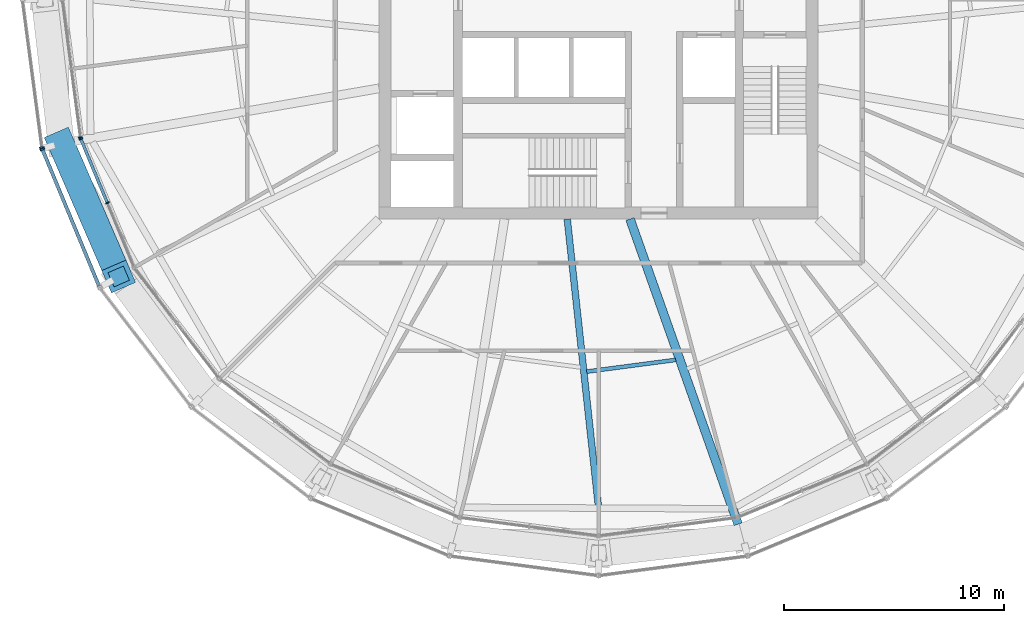
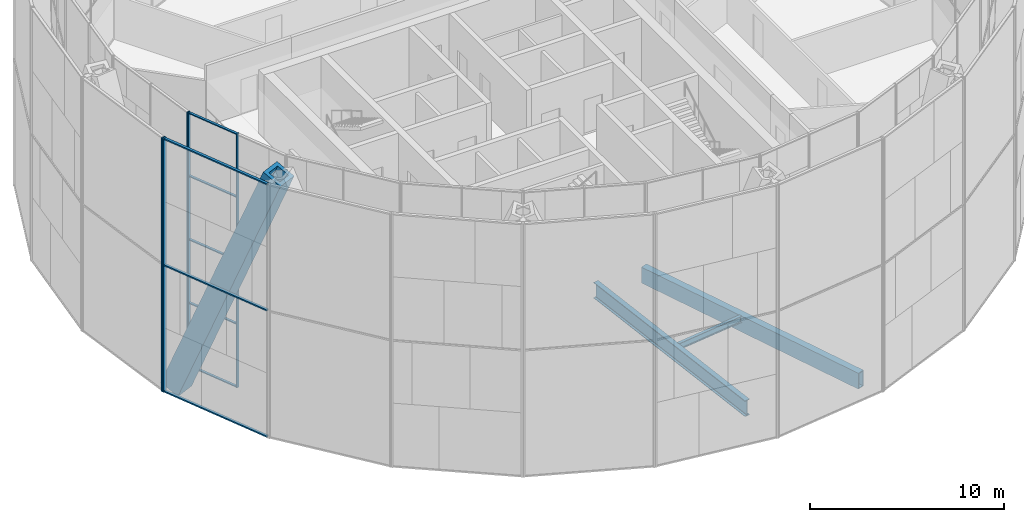
# One storey, part 3 of 28: 14 members, 3 beams, 4 elements without a shape of their own.
"""IFC4 building model written with IfcOpenShell, lengths in metres."""

from ifc_helpers import new_model, si_unit, direction, frame, origin, origin_2d, place, context, subcontext, project, spatial, rectangle, hollow_rectangle, i_section, extrude, material, material_profile, profile_set, type_object, element, aggregate, save


model = new_model("IFC4")

# Units and contexts
model_context = context("Model", 3, precision=1e-05, world=origin(), true_north=direction((0.0, 1.0)))
body_context = subcontext(model_context, "Body", "Model", "MODEL_VIEW")
ifc_project = project(units=[si_unit("LENGTHUNIT", "METRE"), si_unit("AREAUNIT", "SQUARE_METRE"), si_unit("VOLUMEUNIT", "CUBIC_METRE"), si_unit("PLANEANGLEUNIT", "RADIAN"), si_unit("MASSUNIT", "GRAM", prefix="KILO")], contexts=[model_context])

# Site, building, storey
site_placement = place(None, origin())
site = spatial("IfcSite", under=ifc_project, at=site_placement, CompositionType="ELEMENT")
building_placement = place(site_placement, origin())
building = spatial("IfcBuilding", under=site, at=building_placement, Name="Golbaran Civic Tower", CompositionType="ELEMENT")
storey_placement = place(building_placement, frame((0.0, 0.0, 134.0)))
storey = spatial("IfcBuildingStorey", under=building, at=storey_placement, Name="L32", CompositionType="ELEMENT", Elevation=134.0)

# Member
ifc_material_1 = material(Name="Steel S355", Category="steel")
ifc_material_profile_1 = material_profile(ifc_material_1, hollow_rectangle(XDim=1.199951171875, YDim=1.199951171875, WallThickness=0.219970703125, at=origin_2d()), Name="BOX 1200x1200x220")
ifc_profile_set_1 = profile_set([ifc_material_profile_1], Name="Steel S355")
member_type_1 = type_object("IfcMemberType", Name="DIAGRID DIAGONAL BOX 1200x1200x220", PredefinedType="BRACE", material=ifc_profile_set_1)
member_1_placement = place(storey_placement, frame((-24.4765625, -6.55859375, -0.7099609375), z_axis=(0.151560578437, -0.350021010135, 0.924399634102), x_axis=(0.917665769882, 0.397353161289, 0.0)))
element("IfcMember", 1, at=member_1_placement, inside=storey, type_object=member_type_1, Name="Diagonal D07-06R L32-L36", PredefinedType="BRACE", context=body_context, shape_type="SweptSolid", body=[
    extrude(hollow_rectangle(XDim=1.199951171875, YDim=1.199951171875, WallThickness=0.219970703125, at=origin_2d()), origin(), (0.0, 0.0, 1.0), 17.30859375),
])

# Beam
ifc_material_profile_2 = material_profile(ifc_material_1, i_section(OverallWidth=0.179931640625, OverallDepth=0.39990234375, WebThickness=0.008544921875, FlangeThickness=0.013427734375, FilletRadius=0.02099609375, at=origin_2d()), Name="IPE 400")
ifc_profile_set_2 = profile_set([ifc_material_profile_2], Name="Steel S355")
beam_type_1 = type_object("IfcBeamType", Name="FLOOR INFILL BEAM IPE 400", PredefinedType="BEAM", material=ifc_profile_set_2)
beam_1_placement = place(storey_placement, frame((-0.543701171875, -16.94921875, -0.39990234375), z_axis=(0.991448605296, 0.130497751155, 0.0), x_axis=(-0.130497751155, 0.991448605296, 0.0)))
element("IfcBeam", 2, at=beam_1_placement, inside=storey, type_object=beam_type_1, Name="Infill beam 277.50 L32", PredefinedType="BEAM", context=body_context, shape_type="SweptSolid", body=[
    extrude(i_section(OverallWidth=0.179931640625, OverallDepth=0.39990234375, WebThickness=0.008544921875, FlangeThickness=0.013427734375, FilletRadius=0.02099609375, at=origin_2d()), origin(), (0.0, 0.0, 1.0), 4.089599609375),
])

# Curtain wall, member
ifc_material_2 = material(Name="Aluminium and glass", Category="aluminium")
curtain_wall_type_1 = type_object("IfcCurtainWallType", Name="INNER SKIN CURTAIN WALL", PredefinedType="NOTDEFINED", material=ifc_material_2)
curtain_wall_1_placement = place(storey_placement, origin())
curtain_wall_1 = element("IfcCurtainWall", 3, at=curtain_wall_1_placement, inside=storey, type_object=curtain_wall_type_1, Name="Inner skin L32 facet 13 CW1", ObjectType="INNER SKIN", PredefinedType="USERDEFINED")
ifc_material_3 = material(Name="Aluminium", Category="aluminium")
ifc_material_profile_3 = material_profile(ifc_material_3, rectangle(XDim=0.179931640625, YDim=0.06494140625, at=origin_2d()), Name="INNER SKIN CURTAIN WALL MULLION")
ifc_profile_set_3 = profile_set([ifc_material_profile_3], Name="Aluminium")
member_type_2 = type_object("IfcMemberType", Name="INNER SKIN CURTAIN WALL MULLION", PredefinedType="MULLION", material=ifc_profile_set_3)
member_2_placement = place(storey_placement, frame((-23.596923828125, -6.28955078125, 0.0), z_axis=(0.0, 0.0, 1.0), x_axis=(0.991444861372, 0.130526192237, 0.0)))
member_2 = element("IfcMember", 4, at=member_2_placement, type_object=member_type_2, Name="CW1 mullion 3", PredefinedType="MULLION", context=body_context, shape_type="SweptSolid", body=[
    extrude(rectangle(XDim=0.179931640625, YDim=0.06494140625, at=origin_2d()), origin(), (0.0, 0.0, 1.0), 16.0),
])
aggregate(curtain_wall_1, [member_2])

# Curtain wall, members
curtain_wall_2_placement = place(storey_placement, origin())
curtain_wall_2 = element("IfcCurtainWall", 5, at=curtain_wall_2_placement, inside=storey, type_object=curtain_wall_type_1, Name="Inner skin L32 facet 14 CW1", ObjectType="INNER SKIN", PredefinedType="USERDEFINED")
member_3_placement = place(storey_placement, frame((-23.580322265625, -6.3515625, 0.0), z_axis=(0.0, 0.0, 1.0), x_axis=(0.923879532485, 0.38268343243, 0.0)))
member_3 = element("IfcMember", 6, at=member_3_placement, type_object=member_type_2, Name="CW1 mullion 1", PredefinedType="MULLION", context=body_context, shape_type="SweptSolid", body=[
    extrude(rectangle(XDim=0.179931640625, YDim=0.06494140625, at=origin_2d()), origin(), (0.0, 0.0, 1.0), 16.0),
])
member_4_placement = place(storey_placement, frame((-22.372802734375, -9.26708984375, 0.0), z_axis=(0.0, 0.0, 1.0), x_axis=(0.923879532485, 0.38268343243, 0.0)))
member_4 = element("IfcMember", 7, at=member_4_placement, type_object=member_type_2, Name="CW1 mullion 2", PredefinedType="MULLION", context=body_context, shape_type="SweptSolid", body=[
    extrude(rectangle(XDim=0.179931640625, YDim=0.06494140625, at=origin_2d()), origin(), (0.0, 0.0, 1.0), 16.0),
])
ifc_material_profile_4 = material_profile(ifc_material_3, rectangle(XDim=0.139892578125, YDim=0.06494140625, at=origin_2d()), Name="INNER SKIN CURTAIN WALL TRANSOM")
ifc_profile_set_4 = profile_set([ifc_material_profile_4], Name="Aluminium")
member_type_3 = type_object("IfcMemberType", Name="INNER SKIN CURTAIN WALL TRANSOM", PredefinedType="USERDEFINED", material=ifc_profile_set_4)
member_5_placement = place(storey_placement, frame((-23.56787109375, -6.381591796875, 0.032470703125), z_axis=(0.382640157244, -0.923897456466, 0.0), x_axis=(0.923897456466, 0.382640157244, 0.0)))
member_5 = element("IfcMember", 8, at=member_5_placement, type_object=member_type_3, Name="CW1 transom 1.1", ObjectType="TRANSOM", PredefinedType="USERDEFINED", context=body_context, shape_type="SweptSolid", body=[
    extrude(rectangle(XDim=0.139892578125, YDim=0.06494140625, at=origin_2d()), origin(), (0.0, 0.0, 1.0), 3.090576171875),
])
member_6_placement = place(storey_placement, frame((-23.56787109375, -6.381591796875, 4.0), z_axis=(0.382640157244, -0.923897456466, 0.0), x_axis=(0.923897456466, 0.382640157244, 0.0)))
member_6 = element("IfcMember", 9, at=member_6_placement, type_object=member_type_3, Name="CW1 transom 1.2", ObjectType="TRANSOM", PredefinedType="USERDEFINED", context=body_context, shape_type="SweptSolid", body=[
    extrude(rectangle(XDim=0.139892578125, YDim=0.06494140625, at=origin_2d()), origin(), (0.0, 0.0, 1.0), 3.090576171875),
])
member_7_placement = place(storey_placement, frame((-23.56787109375, -6.381591796875, 8.0), z_axis=(0.382640157244, -0.923897456466, 0.0), x_axis=(0.923897456466, 0.382640157244, 0.0)))
member_7 = element("IfcMember", 10, at=member_7_placement, type_object=member_type_3, Name="CW1 transom 1.3", ObjectType="TRANSOM", PredefinedType="USERDEFINED", context=body_context, shape_type="SweptSolid", body=[
    extrude(rectangle(XDim=0.139892578125, YDim=0.06494140625, at=origin_2d()), origin(), (0.0, 0.0, 1.0), 3.090576171875),
])
member_8_placement = place(storey_placement, frame((-23.56787109375, -6.381591796875, 12.0), z_axis=(0.382640157244, -0.923897456466, 0.0), x_axis=(0.923897456466, 0.382640157244, 0.0)))
member_8 = element("IfcMember", 11, at=member_8_placement, type_object=member_type_3, Name="CW1 transom 1.4", ObjectType="TRANSOM", PredefinedType="USERDEFINED", context=body_context, shape_type="SweptSolid", body=[
    extrude(rectangle(XDim=0.139892578125, YDim=0.06494140625, at=origin_2d()), origin(), (0.0, 0.0, 1.0), 3.090576171875),
])
member_9_placement = place(storey_placement, frame((-23.56787109375, -6.381591796875, 15.967529296875), z_axis=(0.382640157244, -0.923897456466, 0.0), x_axis=(0.923897456466, 0.382640157244, 0.0)))
member_9 = element("IfcMember", 12, at=member_9_placement, type_object=member_type_3, Name="CW1 transom 1.5", ObjectType="TRANSOM", PredefinedType="USERDEFINED", context=body_context, shape_type="SweptSolid", body=[
    extrude(rectangle(XDim=0.139892578125, YDim=0.06494140625, at=origin_2d()), origin(), (0.0, 0.0, 1.0), 3.090576171875),
])
aggregate(curtain_wall_2, [member_3, member_4, member_5, member_6, member_7, member_8, member_9])

# Curtain wall, member
curtain_wall_type_2 = type_object("IfcCurtainWallType", Name="OUTER SKIN TERRACOTTA SCREEN", PredefinedType="NOTDEFINED", material=ifc_material_2)
curtain_wall_3_placement = place(storey_placement, origin())
curtain_wall_3 = element("IfcCurtainWall", 13, at=curtain_wall_3_placement, inside=storey, type_object=curtain_wall_type_2, Name="Outer skin L32 facet 13 CW3", ObjectType="OUTER SKIN", PredefinedType="USERDEFINED")
ifc_material_profile_5 = material_profile(ifc_material_3, rectangle(XDim=0.219970703125, YDim=0.080078125, at=origin_2d()), Name="OUTER SKIN TERRACOTTA SCREEN MULLION")
ifc_profile_set_5 = profile_set([ifc_material_profile_5], Name="Aluminium")
member_type_4 = type_object("IfcMemberType", Name="OUTER SKIN TERRACOTTA SCREEN MULLION", PredefinedType="MULLION", material=ifc_profile_set_5)
member_10_placement = place(storey_placement, frame((-25.35107421875, -6.751708984375, -0.7099609375), z_axis=(0.0, 0.0, 1.0), x_axis=(0.991444861376, 0.130526192203, 0.0)))
member_10 = element("IfcMember", 14, at=member_10_placement, type_object=member_type_4, Name="CW3 mullion 2", PredefinedType="MULLION", context=body_context, shape_type="SweptSolid", body=[
    extrude(rectangle(XDim=0.219970703125, YDim=0.080078125, at=origin_2d()), origin(), (0.0, 0.0, 1.0), 16.0),
])
aggregate(curtain_wall_3, [member_10])

# Curtain wall, members
curtain_wall_4_placement = place(storey_placement, origin())
curtain_wall_4 = element("IfcCurtainWall", 15, at=curtain_wall_4_placement, inside=storey, type_object=curtain_wall_type_2, Name="Outer skin L32 facet 14 CW3", ObjectType="OUTER SKIN", PredefinedType="USERDEFINED")
member_11_placement = place(storey_placement, frame((-25.33056640625, -6.828369140625, -0.7099609375), z_axis=(0.0, 0.0, 1.0), x_axis=(0.923879532498, 0.382683432397, 0.0)))
member_11 = element("IfcMember", 16, at=member_11_placement, type_object=member_type_4, Name="CW3 mullion 1", PredefinedType="MULLION", context=body_context, shape_type="SweptSolid", body=[
    extrude(rectangle(XDim=0.219970703125, YDim=0.080078125, at=origin_2d()), origin(), (0.0, 0.0, 1.0), 16.0),
])
ifc_material_profile_6 = material_profile(ifc_material_3, rectangle(XDim=0.159912109375, YDim=0.080078125, at=origin_2d()), Name="OUTER SKIN TERRACOTTA SCREEN TRANSOM")
ifc_profile_set_6 = profile_set([ifc_material_profile_6], Name="Aluminium")
member_type_5 = type_object("IfcMemberType", Name="OUTER SKIN TERRACOTTA SCREEN TRANSOM", PredefinedType="USERDEFINED", material=ifc_profile_set_6)
member_12_placement = place(storey_placement, frame((-25.315185546875, -6.865234375, -0.669921875), z_axis=(0.382663348985, -0.923887851064, 0.0), x_axis=(0.923887851064, 0.382663348985, 0.0)))
member_12 = element("IfcMember", 17, at=member_12_placement, type_object=member_type_5, Name="CW3 transom 1.1", ObjectType="TRANSOM", PredefinedType="USERDEFINED", context=body_context, shape_type="SweptSolid", body=[
    extrude(rectangle(XDim=0.159912109375, YDim=0.080078125, at=origin_2d()), origin(), (0.0, 0.0, 1.0), 6.690185546875),
])
member_13_placement = place(storey_placement, frame((-25.315185546875, -6.865234375, 7.2900390625), z_axis=(0.382663348985, -0.923887851064, 0.0), x_axis=(0.923887851064, 0.382663348985, 0.0)))
member_13 = element("IfcMember", 18, at=member_13_placement, type_object=member_type_5, Name="CW3 transom 1.2", ObjectType="TRANSOM", PredefinedType="USERDEFINED", context=body_context, shape_type="SweptSolid", body=[
    extrude(rectangle(XDim=0.159912109375, YDim=0.080078125, at=origin_2d()), origin(), (0.0, 0.0, 1.0), 6.690185546875),
])
member_14_placement = place(storey_placement, frame((-25.315185546875, -6.865234375, 15.25), z_axis=(0.382663348985, -0.923887851064, 0.0), x_axis=(0.923887851064, 0.382663348985, 0.0)))
member_14 = element("IfcMember", 19, at=member_14_placement, type_object=member_type_5, Name="CW3 transom 1.3", ObjectType="TRANSOM", PredefinedType="USERDEFINED", context=body_context, shape_type="SweptSolid", body=[
    extrude(rectangle(XDim=0.159912109375, YDim=0.080078125, at=origin_2d()), origin(), (0.0, 0.0, 1.0), 6.690185546875),
])
aggregate(curtain_wall_4, [member_11, member_12, member_13, member_14])

# Beams
ifc_material_profile_7 = material_profile(ifc_material_1, hollow_rectangle(XDim=0.39990234375, YDim=1.0, WallThickness=0.0400390625, at=origin_2d()), Name="BOX 1000x400x40")
ifc_profile_set_7 = profile_set([ifc_material_profile_7], Name="Steel S355")
beam_type_2 = type_object("IfcBeamType", Name="RADIAL FLOOR BEAM BOX 1000x400x40", PredefinedType="BEAM", material=ifc_profile_set_7)
beam_2_placement = place(storey_placement, frame((1.428466796875, -10.0, -0.7099609375), z_axis=(0.334011751945, -0.942568909716, 0.0), x_axis=(0.942568909716, 0.334011751945, 0.0)))
element("IfcBeam", 20, at=beam_2_placement, inside=storey, type_object=beam_type_2, Name="Radial beam 285.00 L32", PredefinedType="BEAM", context=body_context, shape_type="SweptSolid", body=[
    extrude(hollow_rectangle(XDim=0.39990234375, YDim=1.0, WallThickness=0.0400390625, at=origin_2d()), origin(), (0.0, 0.0, 1.0), 14.742919921875),
])
ifc_material_profile_8 = material_profile(ifc_material_1, i_section(OverallWidth=0.300048828125, OverallDepth=1.0, WebThickness=0.01904296875, FlangeThickness=0.035888671875, FilletRadius=0.030029296875, at=origin_2d()), Name="HEB 1000")
ifc_profile_set_8 = profile_set([ifc_material_profile_8], Name="Steel S355")
beam_type_3 = type_object("IfcBeamType", Name="SECONDARY FLOOR BEAM HEB 1000", PredefinedType="BEAM", material=ifc_profile_set_8)
beam_3_placement = place(storey_placement, frame((-1.428466796875, -10.0, -0.7099609375), z_axis=(0.107877353777, -0.994164210049, 0.0), x_axis=(0.994164210049, 0.107877353777, 0.0)))
element("IfcBeam", 21, at=beam_3_placement, inside=storey, type_object=beam_type_3, Name="Secondary beam 270.00 L32", PredefinedType="BEAM", context=body_context, shape_type="SweptSolid", body=[
    extrude(i_section(OverallWidth=0.300048828125, OverallDepth=1.0, WebThickness=0.01904296875, FlangeThickness=0.035888671875, FilletRadius=0.030029296875, at=origin_2d()), origin(), (0.0, 0.0, 1.0), 13.24169921875),
])

save(model, "model.ifc")
